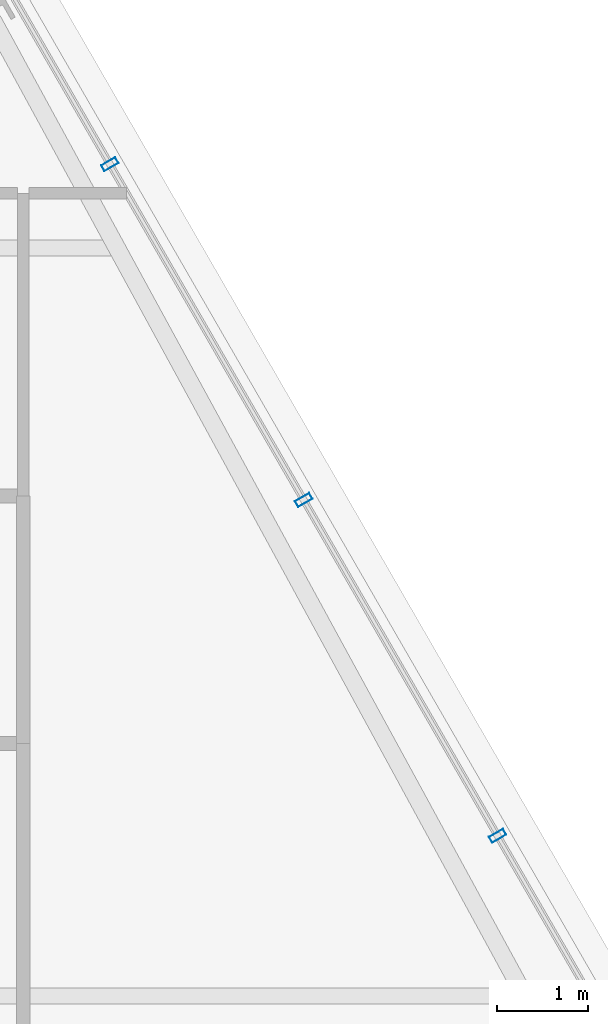
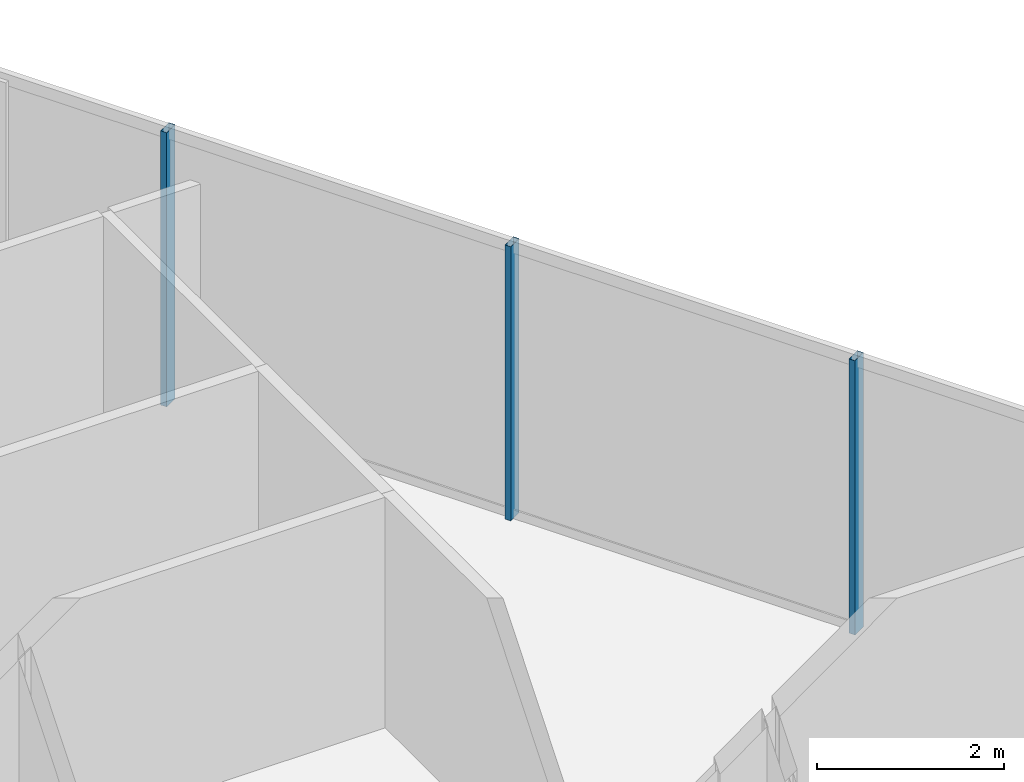
# One storey, part 17 of 34: 3 members, 1 element without a shape of its own.
"""IFC4 building model written with IfcOpenShell, lengths in metres."""

from ifc_helpers import new_model, si_unit, direction, frame, origin, origin_2d, place, context, subcontext, project, spatial, hollow_rectangle, extrude, material, layer, layer_set, material_profile, profile_set, type_object, element, aggregate, save


model = new_model("IFC4")

# Units and contexts
model_context = context("Model", 3, precision=1e-05, world=origin(), true_north=direction((0.0, 1.0)))
body_context = subcontext(model_context, "Body", "Model", "MODEL_VIEW")
ifc_project = project(units=[si_unit("LENGTHUNIT", "METRE"), si_unit("AREAUNIT", "SQUARE_METRE"), si_unit("VOLUMEUNIT", "CUBIC_METRE"), si_unit("PLANEANGLEUNIT", "RADIAN"), si_unit("MASSUNIT", "GRAM", prefix="KILO")], contexts=[model_context])

# Site, building, storey
site_placement = place(None, origin())
site = spatial("IfcSite", under=ifc_project, at=site_placement, CompositionType="ELEMENT")
building_placement = place(site_placement, origin())
building = spatial("IfcBuilding", under=site, at=building_placement, Name="Ndaravel Arena Tower", CompositionType="ELEMENT")
storey_placement = place(building_placement, frame((0.0, 0.0, 191.60009765625)))
storey = spatial("IfcBuildingStorey", under=building, at=storey_placement, Name="L46", CompositionType="ELEMENT", Elevation=191.60009765625)

# Curtain wall, members
ifc_material_1 = material(Name="Aluminium", Category="aluminium")
ifc_layer = layer(ifc_material_1, 0.179931640625)
ifc_layer_set = layer_set([ifc_layer], Name="Aluminium")
curtain_wall_type = type_object("IfcCurtainWallType", Name="CW-SYS-03", PredefinedType="NOTDEFINED", material=ifc_layer_set)
curtain_wall_placement = place(storey_placement, origin())
curtain_wall = element("IfcCurtainWall", 1, at=curtain_wall_placement, inside=storey, type_object=curtain_wall_type, Name="L46 Faceted Crystal Curtain Wall CW-L46-E03", PredefinedType="NOTDEFINED")
ifc_material_2 = material(Name="Aluminium", Category="aluminium")
ifc_material_profile = material_profile(ifc_material_2, hollow_rectangle(XDim=0.074951171875, YDim=0.179931640625, WallThickness=0.00390625, at=origin_2d()), Name="CW MULLION 75x180x4")
ifc_profile_set = profile_set([ifc_material_profile], Name="Aluminium")
member_type = type_object("IfcMemberType", Name="MEM-CW-MUL180", PredefinedType="MULLION", material=ifc_profile_set)
member_1_placement = place(storey_placement, frame((61.40087890625, 20.356689453125, 0.0), z_axis=(0.0, 0.0, 1.0), x_axis=(-0.5, 0.866025403784, 0.0)))
member_1 = element("IfcMember", 2, at=member_1_placement, type_object=member_type, Name="CW-L46-E03 Mullion 02", PredefinedType="MULLION", context=body_context, shape_type="SweptSolid", body=[
    extrude(hollow_rectangle(XDim=0.074951171875, YDim=0.179931640625, WallThickness=0.00390625, at=origin_2d()), origin(), (0.0, 0.0, 1.0), 3.579833984375),
])
member_2_placement = place(storey_placement, frame((59.275390625, 24.0380859375, 0.0), z_axis=(0.0, 0.0, 1.0), x_axis=(-0.5, 0.866025403784, 0.0)))
member_2 = element("IfcMember", 3, at=member_2_placement, type_object=member_type, Name="CW-L46-E03 Mullion 03", PredefinedType="MULLION", context=body_context, shape_type="SweptSolid", body=[
    extrude(hollow_rectangle(XDim=0.074951171875, YDim=0.179931640625, WallThickness=0.00390625, at=origin_2d()), origin(), (0.0, 0.0, 1.0), 3.579833984375),
])
member_3_placement = place(storey_placement, frame((57.150146484375, 27.719482421875, 0.0), z_axis=(0.0, 0.0, 1.0), x_axis=(-0.5, 0.866025403784, 0.0)))
member_3 = element("IfcMember", 4, at=member_3_placement, type_object=member_type, Name="CW-L46-E03 Mullion 04", PredefinedType="MULLION", context=body_context, shape_type="SweptSolid", body=[
    extrude(hollow_rectangle(XDim=0.074951171875, YDim=0.179931640625, WallThickness=0.00390625, at=origin_2d()), origin(), (0.0, 0.0, 1.0), 3.579833984375),
])
aggregate(curtain_wall, [member_1, member_2, member_3])

save(model, "model.ifc")
